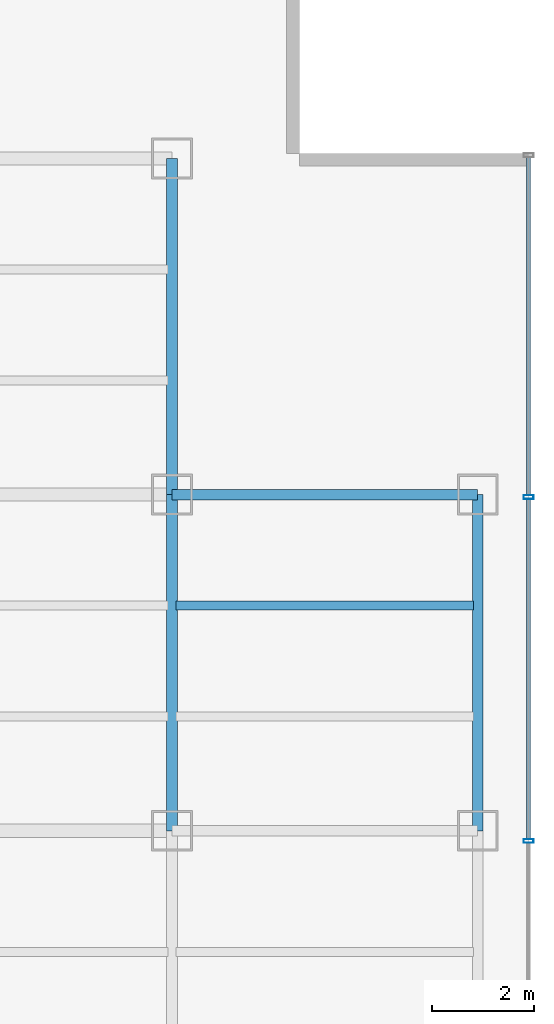
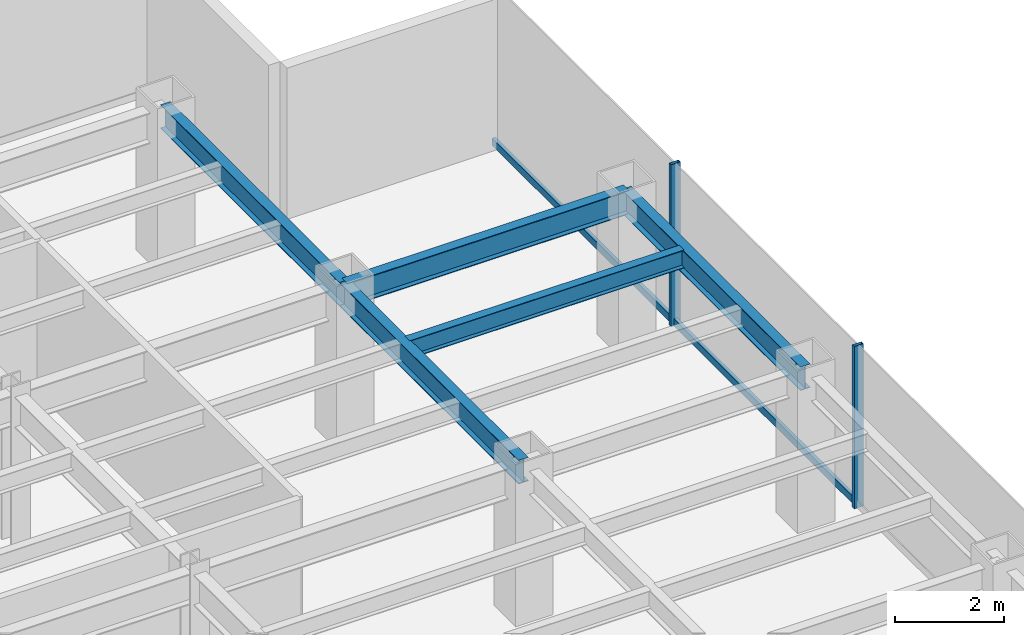
# One storey, part 12 of 26: 5 beams, 4 members, 1 element without a shape of its own.
"""IFC4 building model written with IfcOpenShell, lengths in metres."""

from ifc_helpers import new_model, si_unit, derived_unit, direction, frame, origin, origin_2d, place, context, subcontext, project, spatial, hollow_rectangle, i_section, extrude, source, transform, mapped, material, material_profile, profile_set, type_object, element, aggregate, save


model = new_model("IFC4")

# Units and contexts
model_context = context("Model", 3, precision=1e-05, world=origin(), true_north=direction((0.0, 1.0)))
body_context = subcontext(model_context, "Body", "Model", "MODEL_VIEW")
ifc_project = project(units=[si_unit("LENGTHUNIT", "METRE"), si_unit("AREAUNIT", "SQUARE_METRE"), si_unit("VOLUMEUNIT", "CUBIC_METRE"), si_unit("PLANEANGLEUNIT", "RADIAN"), si_unit("MASSUNIT", "GRAM", prefix="KILO"), derived_unit("THERMALTRANSMITTANCEUNIT", [(si_unit("POWERUNIT", "WATT"), 1), (si_unit("LENGTHUNIT", "METRE"), -2), (si_unit("THERMODYNAMICTEMPERATUREUNIT", "KELVIN"), -1)])], contexts=[model_context])

# Site, building, storey
site_placement = place(None, origin())
site = spatial("IfcSite", under=ifc_project, at=site_placement, CompositionType="ELEMENT")
building_placement = place(site_placement, origin())
building = spatial("IfcBuilding", under=site, at=building_placement, Name="Skarnbrae Concourse Arena and Tower", CompositionType="ELEMENT")
storey_placement = place(building_placement, frame((0.0, 0.0, 114.199951171875)))
storey = spatial("IfcBuildingStorey", under=building, at=storey_placement, Name="L28", CompositionType="ELEMENT", Elevation=114.199951171875)

# Beams
ifc_material_1 = material(Name="Steel CSA G40.21 350W", Category="steel")
ifc_material_profile_1 = material_profile(ifc_material_1, i_section(OverallWidth=0.208984375, OverallDepth=0.532958984375, WebThickness=0.01025390625, FlangeThickness=0.015625, at=origin_2d()), Name="W530X92")
ifc_profile_set_1 = profile_set([ifc_material_profile_1], Name="Steel CSA G40.21 350W")
beam_type_1 = type_object("IfcBeamType", Name="BM-SPAN-W530X92", PredefinedType="SPANDREL", material=ifc_profile_set_1)
shared_shape_1 = source(origin(), body_context, "Body", "SweptSolid", [
    extrude(i_section(OverallWidth=0.208984375, OverallDepth=0.532958984375, WebThickness=0.01025390625, FlangeThickness=0.015625, at=origin_2d()), origin(), (0.0, 0.0, 1.0), 6.0),
])
beam_1_placement = place(storey_placement, frame((49.0, 27.800048828125, 3.133544921875), z_axis=(1.0, 0.0, 0.0), x_axis=(0.0, 1.0, 0.0)))
element("IfcBeam", 1, at=beam_1_placement, inside=storey, type_object=beam_type_1, Name="L28 Perimeter spandrel Y27.8-8", PredefinedType="SPANDREL", context=body_context, shape_type="MappedRepresentation", body=[
    mapped(shared_shape_1, transform((0.0, 0.0, 0.0))),
])
shared_shape_2 = source(origin(), body_context, "Body", "SweptSolid", [
    extrude(i_section(OverallWidth=0.208984375, OverallDepth=0.532958984375, WebThickness=0.01025390625, FlangeThickness=0.015625, at=origin_2d()), origin(), (0.0, 0.0, 1.0), 6.60009765625),
])
for number, where, z_axis, x_axis, name in (
    (2, (49.0, 21.199951171875, 3.133544921875), (0.0, 1.0, 0.0), (-1.0, 0.0, 0.0), "L28 Perimeter spandrel X49.0-3"),
    (3, (55.0, 21.199951171875, 3.133544921875), (0.0, 1.0, 0.0), (-1.0, 0.0, 0.0), "L28 Perimeter spandrel X55.0-3"),
):
    element("IfcBeam", number, at=place(storey_placement, frame(where, z_axis=z_axis, x_axis=x_axis)), inside=storey, type_object=beam_type_1, Name=name, PredefinedType="SPANDREL", context=body_context, shape_type="MappedRepresentation", body=[
        mapped(shared_shape_2, transform((0.0, 0.0, 0.0))),
    ])
shared_shape_3 = source(origin(), body_context, "Body", "SweptSolid", [
    extrude(i_section(OverallWidth=0.208984375, OverallDepth=0.532958984375, WebThickness=0.01025390625, FlangeThickness=0.015625, at=origin_2d()), origin(), (0.0, 0.0, 1.0), 6.599853515625),
])
beam_2_placement = place(storey_placement, frame((49.0, 27.800048828125, 3.133544921875), z_axis=(0.0, 1.0, 0.0), x_axis=(-1.0, 0.0, 0.0)))
element("IfcBeam", 4, at=beam_2_placement, inside=storey, type_object=beam_type_1, Name="L28 Perimeter spandrel X49.0-4", PredefinedType="SPANDREL", context=body_context, shape_type="MappedRepresentation", body=[
    mapped(shared_shape_3, transform((0.0, 0.0, 0.0))),
])
ifc_material_profile_2 = material_profile(ifc_material_1, i_section(OverallWidth=0.177978515625, OverallDepth=0.406982421875, WebThickness=0.0078125, FlangeThickness=0.0126953125, at=origin_2d()), Name="W410X60")
ifc_profile_set_2 = profile_set([ifc_material_profile_2], Name="Steel CSA G40.21 350W")
beam_type_2 = type_object("IfcBeamType", Name="BM-JOIST-W410X60", PredefinedType="JOIST", material=ifc_profile_set_2)
shared_shape_4 = source(origin(), body_context, "Body", "SweptSolid", [
    extrude(i_section(OverallWidth=0.177978515625, OverallDepth=0.406982421875, WebThickness=0.0078125, FlangeThickness=0.0126953125, at=origin_2d()), origin(), (0.0, 0.0, 1.0), 5.83984375),
])
beam_3_placement = place(storey_placement, frame((49.080078125, 25.6220703125, 3.196533203125), z_axis=(1.0, 0.0, 0.0), x_axis=(0.0, 1.0, 0.0)))
element("IfcBeam", 5, at=beam_3_placement, inside=storey, type_object=beam_type_2, Name="L28 Secondary floor joist 2.2.8", PredefinedType="JOIST", context=body_context, shape_type="MappedRepresentation", body=[
    mapped(shared_shape_4, transform((0.0, 0.0, 0.0))),
])

# Curtain wall, members
ifc_material_2 = material(Name="Bronze anodised aluminium 6063-T6", Category="aluminium")
curtain_wall_type = type_object("IfcCurtainWallType", Name="CW-SYS-04-MIDZONE", PredefinedType="USERDEFINED", material=ifc_material_2)
curtain_wall_placement = place(storey_placement, origin())
curtain_wall = element("IfcCurtainWall", 6, at=curtain_wall_placement, inside=storey, type_object=curtain_wall_type, Name="L28 Unitised curtain wall CW-L28-E04", ObjectType="UNITISED CURTAIN WALL", PredefinedType="USERDEFINED")
ifc_material_profile_3 = material_profile(ifc_material_2, hollow_rectangle(XDim=0.074951171875, YDim=0.195068359375, WallThickness=0.00439453125, at=origin_2d()), Name="ALU-MULL-75X195")
ifc_profile_set_3 = profile_set([ifc_material_profile_3], Name="Bronze anodised aluminium 6063-T6")
member_type_1 = type_object("IfcMemberType", Name="CWM-CW-04", PredefinedType="MULLION", material=ifc_profile_set_3)
shared_shape_5 = source(origin(), body_context, "Body", "SweptSolid", [
    extrude(hollow_rectangle(XDim=0.074951171875, YDim=0.195068359375, WallThickness=0.00439453125, at=origin_2d()), origin(), (0.0, 0.0, 1.0), 3.650146484375),
])
member_1_placement = place(storey_placement, frame((56.0, 21.0, 0.0), z_axis=(0.0, 0.0, 1.0), x_axis=(0.0, 1.0, 0.0)))
member_1 = element("IfcMember", 7, at=member_1_placement, type_object=member_type_1, Name="CW-L28-E04 Mullion 3", PredefinedType="MULLION", context=body_context, shape_type="MappedRepresentation", body=[
    mapped(shared_shape_5, transform((0.0, 0.0, 0.0))),
])
member_2_placement = place(storey_placement, frame((56.0, 27.75, 0.0), z_axis=(0.0, 0.0, 1.0), x_axis=(0.0, 1.0, 0.0)))
member_2 = element("IfcMember", 8, at=member_2_placement, type_object=member_type_1, Name="CW-L28-E04 Mullion 4", PredefinedType="MULLION", context=body_context, shape_type="MappedRepresentation", body=[
    mapped(shared_shape_5, transform((0.0, 0.0, 0.0))),
])
ifc_material_profile_4 = material_profile(ifc_material_2, hollow_rectangle(XDim=0.074951171875, YDim=0.159912109375, WallThickness=0.00439453125, at=origin_2d()), Name="ALU-TRAN-75X160")
ifc_profile_set_4 = profile_set([ifc_material_profile_4], Name="Bronze anodised aluminium 6063-T6")
member_type_2 = type_object("IfcMemberType", Name="CWT-CW-04", PredefinedType="USERDEFINED", material=ifc_profile_set_4)
shared_shape_6 = source(origin(), body_context, "Body", "SweptSolid", [
    extrude(hollow_rectangle(XDim=0.074951171875, YDim=0.159912109375, WallThickness=0.00439453125, at=origin_2d()), origin(), (0.0, 0.0, 1.0), 6.637451171875),
])
member_3_placement = place(storey_placement, frame((56.0, 27.78759765625, 0.080078125), z_axis=(0.0, 1.0, 0.0), x_axis=(-1.0, 0.0, 0.0)))
member_3 = element("IfcMember", 9, at=member_3_placement, type_object=member_type_2, Name="CW-L28-E04 Transom 4", ObjectType="TRANSOM", PredefinedType="USERDEFINED", context=body_context, shape_type="MappedRepresentation", body=[
    mapped(shared_shape_6, transform((0.0, 0.0, 0.0))),
])
shared_shape_7 = source(origin(), body_context, "Body", "SweptSolid", [
    extrude(hollow_rectangle(XDim=0.074951171875, YDim=0.159912109375, WallThickness=0.00439453125, at=origin_2d()), origin(), (0.0, 0.0, 1.0), 6.6748046875),
])
member_4_placement = place(storey_placement, frame((56.0, 21.03759765625, 0.080078125), z_axis=(0.0, 1.0, 0.0), x_axis=(-1.0, 0.0, 0.0)))
member_4 = element("IfcMember", 10, at=member_4_placement, type_object=member_type_2, Name="CW-L28-E04 Transom 3", ObjectType="TRANSOM", PredefinedType="USERDEFINED", context=body_context, shape_type="MappedRepresentation", body=[
    mapped(shared_shape_7, transform((0.0, 0.0, 0.0))),
])
aggregate(curtain_wall, [member_1, member_2, member_4, member_3])

save(model, "model.ifc")
